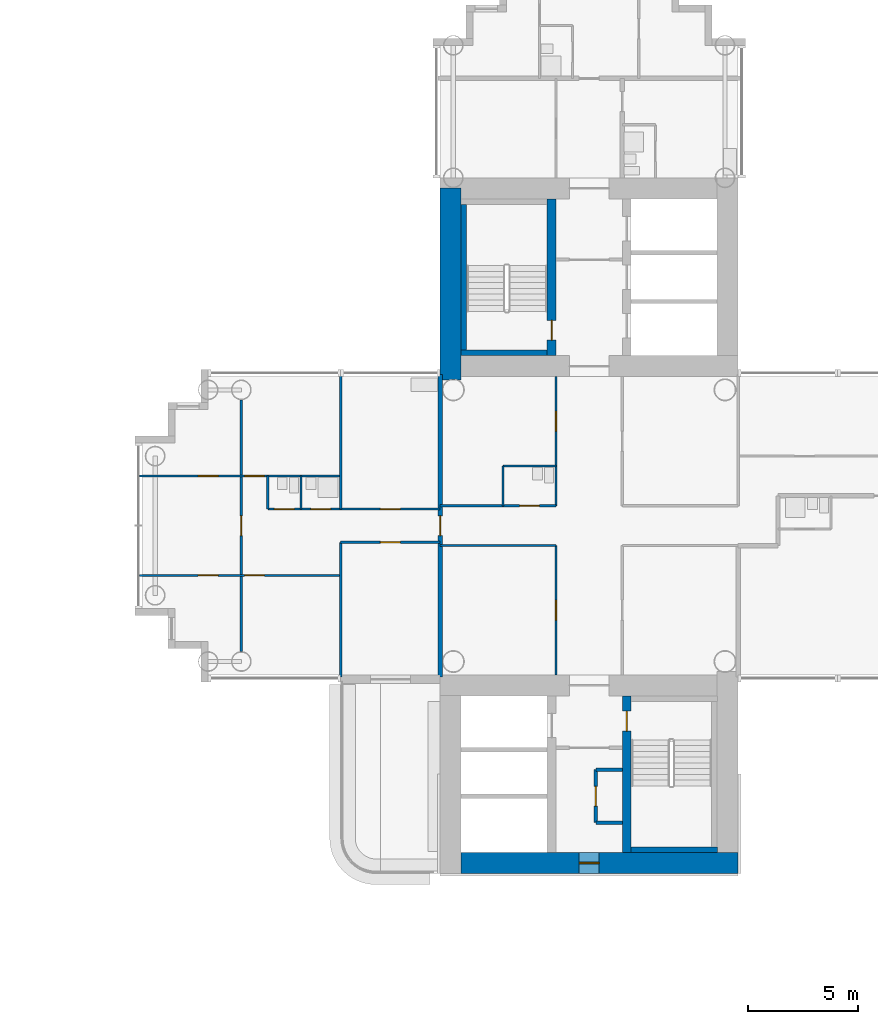
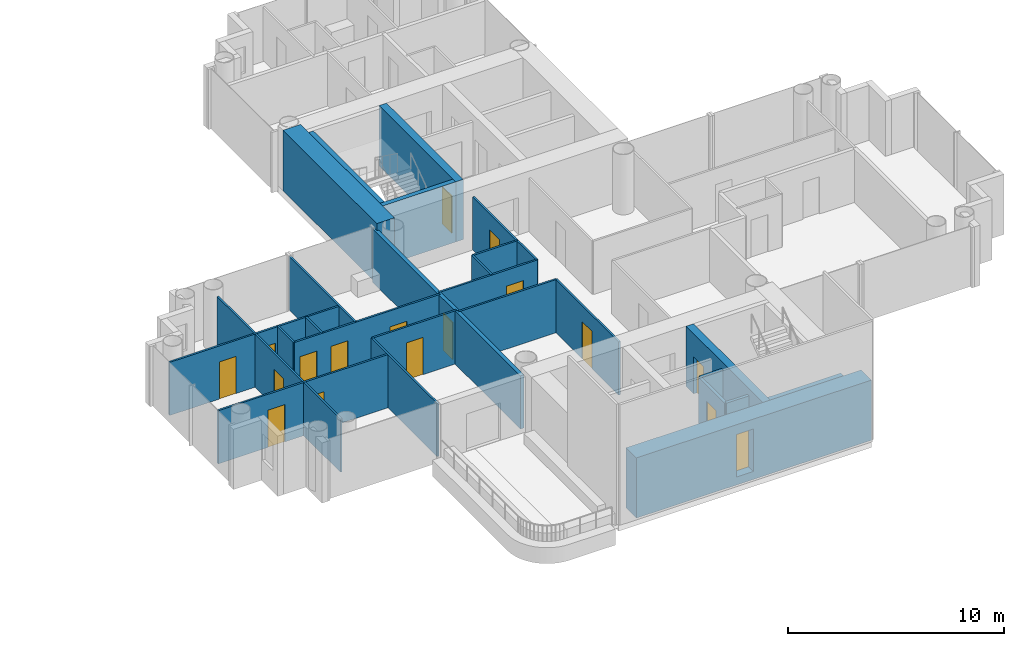
# One storey, part 13 of 22: 26 walls, 16 doors, 1 window, 17 openings.
"""IFC4 building model written with IfcOpenShell, lengths in metres."""

from ifc_helpers import new_model, si_unit, direction, frame, frame_2d, origin, place, context, subcontext, project, spatial, rectangle, extrude, material, layer, layer_set, type_object, element, fill, save


model = new_model("IFC4")

# Units and contexts
model_context = context("Model", 3, precision=1e-05, world=origin(), true_north=direction((0.0, 1.0)))
body_context = subcontext(model_context, "Body", "Model", "MODEL_VIEW")
ifc_project = project(units=[si_unit("LENGTHUNIT", "METRE"), si_unit("AREAUNIT", "SQUARE_METRE"), si_unit("VOLUMEUNIT", "CUBIC_METRE"), si_unit("PLANEANGLEUNIT", "RADIAN"), si_unit("MASSUNIT", "GRAM", prefix="KILO")], contexts=[model_context])

# Site, building, storey
site_placement = place(None, origin())
site = spatial("IfcSite", under=ifc_project, at=site_placement, CompositionType="ELEMENT")
building_placement = place(site_placement, origin())
building = spatial("IfcBuilding", under=site, at=building_placement, Name="Ipe Terrace Towers", CompositionType="ELEMENT")
storey_placement = place(building_placement, frame((0.0, 0.0, 110.60009765625)))
storey = spatial("IfcBuildingStorey", under=building, at=storey_placement, Name="L30", CompositionType="ELEMENT", Elevation=110.60009765625)

# Wall, openings, doors
ifc_material_1 = material(Name="Gypsum board partition", Category="plasterboard")
ifc_layer_1 = layer(ifc_material_1, 0.10009765625)
ifc_layer_set_1 = layer_set([ifc_layer_1], Name="Gypsum board partition 100 mm")
wall_type_1 = type_object("IfcWallType", Name="Gypsum board partition 100 mm", PredefinedType="PARTITIONING", material=ifc_layer_set_1)
wall_1_placement = place(storey_placement, frame((24.75, -2.25, 0.0), z_axis=(0.0, 0.0, 1.0), x_axis=(-1.0, 0.0, 0.0)))
wall_1 = element("IfcWall", 1, at=wall_1_placement, inside=storey, type_object=wall_type_1, Name="Gypsum board partition T2 L30 W01", PredefinedType="PARTITIONING", context=body_context, shape_type="SweptSolid", body=[
    extrude(rectangle(XDim=9.10009765625, YDim=0.10009765625, at=frame_2d((4.550048828125, 0.0))), origin(), (0.0, 0.0, 1.0), 3.0),
])
opening_1_placement = place(wall_1_placement, frame((3.449951171875, 0.0, 0.0)))
opening_1 = element("IfcOpeningElement", 2, at=opening_1_placement, cuts=wall_1, Name="Opening T2-Z2F-11", PredefinedType="OPENING", context=body_context, shape_type="SweptSolid", body=[
    extrude(rectangle(XDim=0.89990234375, YDim=2.10009765625, at=frame_2d((0.449951171875, 1.050048828125))), frame((0.0, 0.06005859375, 0.0), z_axis=(0.0, -1.0, 0.0), x_axis=(1.0, 0.0, 0.0)), (0.0, 0.0, 1.0), 0.1201171875),
])
opening_2_placement = place(wall_1_placement, frame((5.550048828125, 0.0, 0.0)))
opening_2 = element("IfcOpeningElement", 3, at=opening_2_placement, cuts=wall_1, Name="Opening T2-Z2F-14", PredefinedType="OPENING", context=body_context, shape_type="SweptSolid", body=[
    extrude(rectangle(XDim=0.89990234375, YDim=2.10009765625, at=frame_2d((0.449951171875, 1.050048828125))), frame((0.0, 0.06005859375, 0.0), z_axis=(0.0, -1.0, 0.0), x_axis=(1.0, 0.0, 0.0)), (0.0, 0.0, 1.0), 0.1201171875),
])
ifc_material_2 = material(Name="Timber door leaf", Category="wood")
door_type_1 = type_object("IfcDoorType", Name="Bedroom door 900 x 2100", OperationType="NOTDEFINED", PredefinedType="DOOR", material=ifc_material_2)
door_1_placement = place(opening_1_placement, origin())
door_1 = element("IfcDoor", 4, at=door_1_placement, inside=storey, type_object=door_type_1, Name="Bedroom door T2-Z2F-11", OperationType="SINGLE_SWING_RIGHT", OverallHeight=2.10009765625, OverallWidth=0.89990234375, PredefinedType="DOOR", context=body_context, shape_type="SweptSolid", body=[
    extrude(rectangle(XDim=0.89990234375, YDim=2.10009765625, at=frame_2d((0.449951171875, 1.050048828125))), frame((0.0, 0.02490234375, 0.0), z_axis=(0.0, -1.0, 0.0), x_axis=(1.0, 0.0, 0.0)), (0.0, 0.0, 1.0), 0.050048828125),
])
fill(opening_1, door_1)
door_2_placement = place(opening_2_placement, origin())
door_2 = element("IfcDoor", 5, at=door_2_placement, inside=storey, type_object=door_type_1, Name="Bedroom door T2-Z2F-14", OperationType="SINGLE_SWING_LEFT", OverallHeight=2.10009765625, OverallWidth=0.89990234375, PredefinedType="DOOR", context=body_context, shape_type="SweptSolid", body=[
    extrude(rectangle(XDim=0.89990234375, YDim=2.10009765625, at=frame_2d((0.449951171875, 1.050048828125))), frame((0.0, 0.02490234375, 0.0), z_axis=(0.0, -1.0, 0.0), x_axis=(1.0, 0.0, 0.0)), (0.0, 0.0, 1.0), 0.050048828125),
])
fill(opening_2, door_2)

# Wall
wall_2_placement = place(storey_placement, frame((34.5, -0.89990234375, 0.0), z_axis=(0.0, 0.0, 1.0), x_axis=(-1.0, 0.0, 0.0)))
element("IfcWall", 6, at=wall_2_placement, inside=storey, type_object=wall_type_1, Name="Gypsum board partition T2 L30 W03", PredefinedType="PARTITIONING", context=body_context, shape_type="SweptSolid", body=[
    extrude(rectangle(XDim=5.25, YDim=0.10009765625, at=frame_2d((2.625, 0.0))), origin(), (0.0, 0.0, 1.0), 3.0),
])

# Wall, opening, door
wall_3_placement = place(storey_placement, frame((29.25, -0.75, 0.0), z_axis=(0.0, 0.0, 1.0), x_axis=(-1.0, 0.0, 0.0)))
wall_3 = element("IfcWall", 7, at=wall_3_placement, inside=storey, type_object=wall_type_1, Name="Gypsum board partition T2 L30 W05", PredefinedType="PARTITIONING", context=body_context, shape_type="SweptSolid", body=[
    extrude(rectangle(XDim=4.5, YDim=0.10009765625, at=frame_2d((2.25, 0.0))), origin(), (0.0, 0.0, 1.0), 3.0),
])
opening_3_placement = place(wall_3_placement, frame((1.800048828125, 0.0, 0.0)))
opening_3 = element("IfcOpeningElement", 8, at=opening_3_placement, cuts=wall_3, Name="Opening T2-Z2F-06", PredefinedType="OPENING", context=body_context, shape_type="SweptSolid", body=[
    extrude(rectangle(XDim=0.89990234375, YDim=2.10009765625, at=frame_2d((0.449951171875, 1.050048828125))), frame((0.0, 0.06005859375, 0.0), z_axis=(0.0, -1.0, 0.0), x_axis=(1.0, 0.0, 0.0)), (0.0, 0.0, 1.0), 0.1201171875),
])
ifc_material_3 = material(Name="Timber door leaf", Category="wood")
door_type_2 = type_object("IfcDoorType", Name="Lounge door 900 x 2100", OperationType="NOTDEFINED", PredefinedType="DOOR", material=ifc_material_3)
door_3_placement = place(opening_3_placement, origin())
door_3 = element("IfcDoor", 9, at=door_3_placement, inside=storey, type_object=door_type_2, Name="Lounge door T2-Z2F-06", OperationType="SINGLE_SWING_LEFT", OverallHeight=2.10009765625, OverallWidth=0.89990234375, PredefinedType="DOOR", context=body_context, shape_type="SweptSolid", body=[
    extrude(rectangle(XDim=0.89990234375, YDim=2.10009765625, at=frame_2d((0.449951171875, 1.050048828125))), frame((0.0, 0.02490234375, 0.0), z_axis=(0.0, -1.0, 0.0), x_axis=(1.0, 0.0, 0.0)), (0.0, 0.0, 1.0), 0.050048828125),
])
fill(opening_3, door_3)

# Wall, openings, doors
wall_4_placement = place(storey_placement, frame((29.25, 0.75, 0.0), z_axis=(0.0, 0.0, 1.0), x_axis=(-1.0, 0.0, 0.0)))
wall_4 = element("IfcWall", 10, at=wall_4_placement, inside=storey, type_object=wall_type_1, Name="Gypsum board partition T2 L30 W07", PredefinedType="PARTITIONING", context=body_context, shape_type="SweptSolid", body=[
    extrude(rectangle(XDim=7.800048828125, YDim=0.10009765625, at=frame_2d((3.89990234375, 0.0))), origin(), (0.0, 0.0, 1.0), 3.0),
])
opening_4_placement = place(wall_4_placement, frame((1.800048828125, 0.0, 0.0)))
opening_4 = element("IfcOpeningElement", 11, at=opening_4_placement, cuts=wall_4, Name="Opening T2-Z2F-07", PredefinedType="OPENING", context=body_context, shape_type="SweptSolid", body=[
    extrude(rectangle(XDim=0.89990234375, YDim=2.10009765625, at=frame_2d((0.449951171875, 1.050048828125))), frame((0.0, 0.06005859375, 0.0), z_axis=(0.0, -1.0, 0.0), x_axis=(1.0, 0.0, 0.0)), (0.0, 0.0, 1.0), 0.1201171875),
])
opening_5_placement = place(wall_4_placement, frame((4.949951171875, 0.0, 0.0)))
opening_5 = element("IfcOpeningElement", 12, at=opening_5_placement, cuts=wall_4, Name="Opening T2-Z2F-09", PredefinedType="OPENING", context=body_context, shape_type="SweptSolid", body=[
    extrude(rectangle(XDim=0.89990234375, YDim=2.10009765625, at=frame_2d((0.449951171875, 1.050048828125))), frame((0.0, 0.06005859375, 0.0), z_axis=(0.0, -1.0, 0.0), x_axis=(1.0, 0.0, 0.0)), (0.0, 0.0, 1.0), 0.1201171875),
])
opening_6_placement = place(wall_4_placement, frame((6.60009765625, 0.0, 0.0)))
opening_6 = element("IfcOpeningElement", 13, at=opening_6_placement, cuts=wall_4, Name="Opening T2-Z2F-10", PredefinedType="OPENING", context=body_context, shape_type="SweptSolid", body=[
    extrude(rectangle(XDim=0.89990234375, YDim=2.10009765625, at=frame_2d((0.449951171875, 1.050048828125))), frame((0.0, 0.06005859375, 0.0), z_axis=(0.0, -1.0, 0.0), x_axis=(1.0, 0.0, 0.0)), (0.0, 0.0, 1.0), 0.1201171875),
])
ifc_material_4 = material(Name="Timber door leaf", Category="wood")
door_type_3 = type_object("IfcDoorType", Name="Bathroom door 900 x 2100", OperationType="NOTDEFINED", PredefinedType="DOOR", material=ifc_material_4)
door_4_placement = place(opening_5_placement, origin())
door_4 = element("IfcDoor", 14, at=door_4_placement, inside=storey, type_object=door_type_3, Name="Bathroom door T2-Z2F-09", OperationType="SINGLE_SWING_RIGHT", OverallHeight=2.10009765625, OverallWidth=0.89990234375, PredefinedType="DOOR", context=body_context, shape_type="SweptSolid", body=[
    extrude(rectangle(XDim=0.89990234375, YDim=2.10009765625, at=frame_2d((0.449951171875, 1.050048828125))), frame((0.0, 0.02490234375, 0.0), z_axis=(0.0, -1.0, 0.0), x_axis=(1.0, 0.0, 0.0)), (0.0, 0.0, 1.0), 0.050048828125),
])
fill(opening_5, door_4)
door_5_placement = place(opening_6_placement, origin())
door_5 = element("IfcDoor", 15, at=door_5_placement, inside=storey, type_object=door_type_3, Name="Bathroom door T2-Z2F-10", OperationType="SINGLE_SWING_RIGHT", OverallHeight=2.10009765625, OverallWidth=0.89990234375, PredefinedType="DOOR", context=body_context, shape_type="SweptSolid", body=[
    extrude(rectangle(XDim=0.89990234375, YDim=2.10009765625, at=frame_2d((0.449951171875, 1.050048828125))), frame((0.0, 0.02490234375, 0.0), z_axis=(0.0, -1.0, 0.0), x_axis=(1.0, 0.0, 0.0)), (0.0, 0.0, 1.0), 0.050048828125),
])
fill(opening_6, door_5)
door_6_placement = place(opening_4_placement, origin())
door_6 = element("IfcDoor", 16, at=door_6_placement, inside=storey, type_object=door_type_2, Name="Lounge door T2-Z2F-07", OperationType="SINGLE_SWING_LEFT", OverallHeight=2.10009765625, OverallWidth=0.89990234375, PredefinedType="DOOR", context=body_context, shape_type="SweptSolid", body=[
    extrude(rectangle(XDim=0.89990234375, YDim=2.10009765625, at=frame_2d((0.449951171875, 1.050048828125))), frame((0.0, 0.02490234375, 0.0), z_axis=(0.0, -1.0, 0.0), x_axis=(1.0, 0.0, 0.0)), (0.0, 0.0, 1.0), 0.050048828125),
])
fill(opening_4, door_6)

# Wall, opening, door
wall_5_placement = place(storey_placement, frame((34.5, 0.89990234375, 0.0), z_axis=(0.0, 0.0, 1.0), x_axis=(-1.0, 0.0, 0.0)))
wall_5 = element("IfcWall", 17, at=wall_5_placement, inside=storey, type_object=wall_type_1, Name="Gypsum board partition T2 L30 W09", PredefinedType="PARTITIONING", context=body_context, shape_type="SweptSolid", body=[
    extrude(rectangle(XDim=5.25, YDim=0.10009765625, at=frame_2d((2.625, 0.0))), origin(), (0.0, 0.0, 1.0), 3.0),
])
opening_7_placement = place(wall_5_placement, frame((0.75, 0.0, 0.0)))
opening_7 = element("IfcOpeningElement", 18, at=opening_7_placement, cuts=wall_5, Name="Opening T2-Z2F-01", PredefinedType="OPENING", context=body_context, shape_type="SweptSolid", body=[
    extrude(rectangle(XDim=0.89990234375, YDim=2.10009765625, at=frame_2d((0.449951171875, 1.050048828125))), frame((0.0, 0.06005859375, 0.0), z_axis=(0.0, -1.0, 0.0), x_axis=(1.0, 0.0, 0.0)), (0.0, 0.0, 1.0), 0.1201171875),
])
door_7_placement = place(opening_7_placement, origin())
door_7 = element("IfcDoor", 19, at=door_7_placement, inside=storey, type_object=door_type_3, Name="Bathroom door T2-Z2F-01", OperationType="SINGLE_SWING_LEFT", OverallHeight=2.10009765625, OverallWidth=0.89990234375, PredefinedType="DOOR", context=body_context, shape_type="SweptSolid", body=[
    extrude(rectangle(XDim=0.89990234375, YDim=2.10009765625, at=frame_2d((0.449951171875, 1.050048828125))), frame((0.0, 0.02490234375, 0.0), z_axis=(0.0, -1.0, 0.0), x_axis=(1.0, 0.0, 0.0)), (0.0, 0.0, 1.0), 0.050048828125),
])
fill(opening_7, door_7)

# Wall, openings, doors
wall_6_placement = place(storey_placement, frame((24.75, 2.25, 0.0), z_axis=(0.0, 0.0, 1.0), x_axis=(-1.0, 0.0, 0.0)))
wall_6 = element("IfcWall", 20, at=wall_6_placement, inside=storey, type_object=wall_type_1, Name="Gypsum board partition T2 L30 W11", PredefinedType="PARTITIONING", context=body_context, shape_type="SweptSolid", body=[
    extrude(rectangle(XDim=9.10009765625, YDim=0.10009765625, at=frame_2d((4.550048828125, 0.0))), origin(), (0.0, 0.0, 1.0), 3.0),
])
opening_8_placement = place(wall_6_placement, frame((3.449951171875, 0.0, 0.0)))
opening_8 = element("IfcOpeningElement", 21, at=opening_8_placement, cuts=wall_6, Name="Opening T2-Z2F-12", PredefinedType="OPENING", context=body_context, shape_type="SweptSolid", body=[
    extrude(rectangle(XDim=0.89990234375, YDim=2.10009765625, at=frame_2d((0.449951171875, 1.050048828125))), frame((0.0, 0.06005859375, 0.0), z_axis=(0.0, -1.0, 0.0), x_axis=(1.0, 0.0, 0.0)), (0.0, 0.0, 1.0), 0.1201171875),
])
opening_9_placement = place(wall_6_placement, frame((5.550048828125, 0.0, 0.0)))
opening_9 = element("IfcOpeningElement", 22, at=opening_9_placement, cuts=wall_6, Name="Opening T2-Z2F-15", PredefinedType="OPENING", context=body_context, shape_type="SweptSolid", body=[
    extrude(rectangle(XDim=0.89990234375, YDim=2.10009765625, at=frame_2d((0.449951171875, 1.050048828125))), frame((0.0, 0.06005859375, 0.0), z_axis=(0.0, -1.0, 0.0), x_axis=(1.0, 0.0, 0.0)), (0.0, 0.0, 1.0), 0.1201171875),
])
door_8_placement = place(opening_8_placement, origin())
door_8 = element("IfcDoor", 23, at=door_8_placement, inside=storey, type_object=door_type_1, Name="Bedroom door T2-Z2F-12", OperationType="SINGLE_SWING_LEFT", OverallHeight=2.10009765625, OverallWidth=0.89990234375, PredefinedType="DOOR", context=body_context, shape_type="SweptSolid", body=[
    extrude(rectangle(XDim=0.89990234375, YDim=2.10009765625, at=frame_2d((0.449951171875, 1.050048828125))), frame((0.0, 0.02490234375, 0.0), z_axis=(0.0, -1.0, 0.0), x_axis=(1.0, 0.0, 0.0)), (0.0, 0.0, 1.0), 0.050048828125),
])
fill(opening_8, door_8)
door_9_placement = place(opening_9_placement, origin())
door_9 = element("IfcDoor", 24, at=door_9_placement, inside=storey, type_object=door_type_1, Name="Bedroom door T2-Z2F-15", OperationType="SINGLE_SWING_RIGHT", OverallHeight=2.10009765625, OverallWidth=0.89990234375, PredefinedType="DOOR", context=body_context, shape_type="SweptSolid", body=[
    extrude(rectangle(XDim=0.89990234375, YDim=2.10009765625, at=frame_2d((0.449951171875, 1.050048828125))), frame((0.0, 0.02490234375, 0.0), z_axis=(0.0, -1.0, 0.0), x_axis=(1.0, 0.0, 0.0)), (0.0, 0.0, 1.0), 0.050048828125),
])
fill(opening_9, door_9)

# Wall
wall_7_placement = place(storey_placement, frame((34.5, 2.699951171875, 0.0), z_axis=(0.0, 0.0, 1.0), x_axis=(-1.0, 0.0, 0.0)))
element("IfcWall", 25, at=wall_7_placement, inside=storey, type_object=wall_type_1, Name="Gypsum board partition T2 L30 W12", PredefinedType="PARTITIONING", context=body_context, shape_type="SweptSolid", body=[
    extrude(rectangle(XDim=2.39990234375, YDim=0.10009765625, at=frame_2d((1.199951171875, 0.0))), origin(), (0.0, 0.0, 1.0), 3.0),
])

# Wall, opening, door
wall_8_placement = place(storey_placement, frame((34.5, -6.75, 0.0), z_axis=(0.0, 0.0, 1.0), x_axis=(0.0, 1.0, 0.0)))
wall_8 = element("IfcWall", 26, at=wall_8_placement, inside=storey, type_object=wall_type_1, Name="Gypsum board partition T2 L30 W29", PredefinedType="PARTITIONING", context=body_context, shape_type="SweptSolid", body=[
    extrude(rectangle(XDim=5.85009765625, YDim=0.10009765625, at=frame_2d((2.925048828125, 0.0))), origin(), (0.0, 0.0, 1.0), 3.0),
])
opening_10_placement = place(wall_8_placement, frame((2.47509765625, 0.0, 0.0)))
opening_10 = element("IfcOpeningElement", 27, at=opening_10_placement, cuts=wall_8, Name="Opening T2-Z2F-03", PredefinedType="OPENING", context=body_context, shape_type="SweptSolid", body=[
    extrude(rectangle(XDim=0.89990234375, YDim=2.10009765625, at=frame_2d((0.449951171875, 1.050048828125))), frame((0.0, 0.06005859375, 0.0), z_axis=(0.0, -1.0, 0.0), x_axis=(1.0, 0.0, 0.0)), (0.0, 0.0, 1.0), 0.1201171875),
])
door_10_placement = place(opening_10_placement, origin())
door_10 = element("IfcDoor", 28, at=door_10_placement, inside=storey, type_object=door_type_2, Name="Lounge door T2-Z2F-03", OperationType="SINGLE_SWING_RIGHT", OverallHeight=2.10009765625, OverallWidth=0.89990234375, PredefinedType="DOOR", context=body_context, shape_type="SweptSolid", body=[
    extrude(rectangle(XDim=0.89990234375, YDim=2.10009765625, at=frame_2d((0.449951171875, 1.050048828125))), frame((0.0, 0.02490234375, 0.0), z_axis=(0.0, -1.0, 0.0), x_axis=(1.0, 0.0, 0.0)), (0.0, 0.0, 1.0), 0.050048828125),
])
fill(opening_10, door_10)

wall_9_placement = place(storey_placement, frame((34.5, 0.89990234375, 0.0), z_axis=(0.0, 0.0, 1.0), x_axis=(0.0, 1.0, 0.0)))
wall_9 = element("IfcWall", 29, at=wall_9_placement, inside=storey, type_object=wall_type_1, Name="Gypsum board partition T2 L30 W30", PredefinedType="PARTITIONING", context=body_context, shape_type="SweptSolid", body=[
    extrude(rectangle(XDim=5.85009765625, YDim=0.10009765625, at=frame_2d((2.925048828125, 0.0))), origin(), (0.0, 0.0, 1.0), 3.0),
])
opening_11_placement = place(wall_9_placement, frame((3.375, 0.0, 0.0)))
opening_11 = element("IfcOpeningElement", 30, at=opening_11_placement, cuts=wall_9, Name="Opening T2-Z2F-02", PredefinedType="OPENING", context=body_context, shape_type="SweptSolid", body=[
    extrude(rectangle(XDim=0.89990234375, YDim=2.10009765625, at=frame_2d((0.449951171875, 1.050048828125))), frame((0.0, 0.06005859375, 0.0), z_axis=(0.0, -1.0, 0.0), x_axis=(1.0, 0.0, 0.0)), (0.0, 0.0, 1.0), 0.1201171875),
])
door_11_placement = place(opening_11_placement, origin())
door_11 = element("IfcDoor", 31, at=door_11_placement, inside=storey, type_object=door_type_2, Name="Lounge door T2-Z2F-02", OperationType="SINGLE_SWING_LEFT", OverallHeight=2.10009765625, OverallWidth=0.89990234375, PredefinedType="DOOR", context=body_context, shape_type="SweptSolid", body=[
    extrude(rectangle(XDim=0.89990234375, YDim=2.10009765625, at=frame_2d((0.449951171875, 1.050048828125))), frame((0.0, 0.02490234375, 0.0), z_axis=(0.0, -1.0, 0.0), x_axis=(1.0, 0.0, 0.0)), (0.0, 0.0, 1.0), 0.050048828125),
])
fill(opening_11, door_11)

# Walls
wall_10_placement = place(storey_placement, frame((32.10009765625, 0.89990234375, 0.0), z_axis=(0.0, 0.0, 1.0), x_axis=(0.0, 1.0, 0.0)))
element("IfcWall", 32, at=wall_10_placement, inside=storey, type_object=wall_type_1, Name="Gypsum board partition T2 L30 W33", PredefinedType="PARTITIONING", context=body_context, shape_type="SweptSolid", body=[
    extrude(rectangle(XDim=1.800048828125, YDim=0.10009765625, at=frame_2d((0.89990234375, 0.0))), origin(), (0.0, 0.0, 1.0), 3.0),
])
for number, where, z_axis, x_axis, name in (
    (33, (24.75, -6.85009765625, 0.0), (0.0, 0.0, 1.0), (0.0, 1.0, 0.0), "Gypsum board partition T2 L30 W35"),
    (34, (24.75, 0.75, 0.0), (0.0, 0.0, 1.0), (0.0, 1.0, 0.0), "Gypsum board partition T2 L30 W36"),
):
    element("IfcWall", number, at=place(storey_placement, frame(where, z_axis=z_axis, x_axis=x_axis)), inside=storey, type_object=wall_type_1, Name=name, PredefinedType="PARTITIONING", context=body_context, shape_type="SweptSolid", body=[
        extrude(rectangle(XDim=6.10009765625, YDim=0.10009765625, at=frame_2d((3.050048828125, 0.0))), origin(), (0.0, 0.0, 1.0), 3.0),
    ])
for number, where, z_axis, x_axis, name in (
    (35, (22.949951171875, 0.75, 0.0), (0.0, 0.0, 1.0), (0.0, 1.0, 0.0), "Gypsum board partition T2 L30 W37"),
    (36, (21.449951171875, 0.75, 0.0), (0.0, 0.0, 1.0), (0.0, 1.0, 0.0), "Gypsum board partition T2 L30 W38"),
):
    element("IfcWall", number, at=place(storey_placement, frame(where, z_axis=z_axis, x_axis=x_axis)), inside=storey, type_object=wall_type_1, Name=name, PredefinedType="PARTITIONING", context=body_context, shape_type="SweptSolid", body=[
        extrude(rectangle(XDim=1.5, YDim=0.10009765625, at=frame_2d((0.75, 0.0))), origin(), (0.0, 0.0, 1.0), 3.0),
    ])

# Wall, opening, door
wall_11_placement = place(storey_placement, frame((20.25, -5.699951171875, 0.0), z_axis=(0.0, 0.0, 1.0), x_axis=(0.0, 1.0, 0.0)))
wall_11 = element("IfcWall", 37, at=wall_11_placement, inside=storey, type_object=wall_type_1, Name="Gypsum board partition T2 L30 W39", PredefinedType="PARTITIONING", context=body_context, shape_type="SweptSolid", body=[
    extrude(rectangle(XDim=11.39990234375, YDim=0.10009765625, at=frame_2d((5.699951171875, 0.0))), origin(), (0.0, 0.0, 1.0), 3.0),
])
opening_12_placement = place(wall_11_placement, frame((5.25, 0.0, 0.0)))
opening_12 = element("IfcOpeningElement", 38, at=opening_12_placement, cuts=wall_11, Name="Opening T2-Z2F-13", PredefinedType="OPENING", context=body_context, shape_type="SweptSolid", body=[
    extrude(rectangle(XDim=0.89990234375, YDim=2.10009765625, at=frame_2d((0.449951171875, 1.050048828125))), frame((0.0, 0.06005859375, 0.0), z_axis=(0.0, -1.0, 0.0), x_axis=(1.0, 0.0, 0.0)), (0.0, 0.0, 1.0), 0.1201171875),
])
door_12_placement = place(opening_12_placement, origin())
door_12 = element("IfcDoor", 39, at=door_12_placement, inside=storey, type_object=door_type_2, Name="Lounge door T2-Z2F-13", OperationType="SINGLE_SWING_LEFT", OverallHeight=2.10009765625, OverallWidth=0.89990234375, PredefinedType="DOOR", context=body_context, shape_type="SweptSolid", body=[
    extrude(rectangle(XDim=0.89990234375, YDim=2.10009765625, at=frame_2d((0.449951171875, 1.050048828125))), frame((0.0, 0.02490234375, 0.0), z_axis=(0.0, -1.0, 0.0), x_axis=(1.0, 0.0, 0.0)), (0.0, 0.0, 1.0), 0.050048828125),
])
fill(opening_12, door_12)

ifc_material_5 = material(Name="Gypsum board partition", Category="plasterboard")
ifc_layer_2 = layer(ifc_material_5, 0.14990234375)
ifc_layer_set_2 = layer_set([ifc_layer_2], Name="Gypsum board partition 150 mm")
wall_type_2 = type_object("IfcWallType", Name="Gypsum board partition 150 mm", PredefinedType="PARTITIONING", material=ifc_layer_set_2)
wall_12_placement = place(storey_placement, frame((36.300048828125, -11.050048828125, 0.0), z_axis=(0.0, 0.0, 1.0), x_axis=(0.0, -1.0, 0.0)))
wall_12 = element("IfcWall", 40, at=wall_12_placement, inside=storey, type_object=wall_type_2, Name="Gypsum board partition T2 L30 t2c2-cup-n-f", PredefinedType="PARTITIONING", context=body_context, shape_type="SweptSolid", body=[
    extrude(rectangle(XDim=2.39990234375, YDim=0.14990234375, at=frame_2d((1.199951171875, 0.0))), origin(), (0.0, 0.0, 1.0), 3.0),
])
opening_13_placement = place(wall_12_placement, frame((0.75, 0.0, 0.0)))
opening_13 = element("IfcOpeningElement", 41, at=opening_13_placement, cuts=wall_12, Name="Opening T2C2-SR", PredefinedType="OPENING", context=body_context, shape_type="SweptSolid", body=[
    extrude(rectangle(XDim=0.89990234375, YDim=2.10009765625, at=frame_2d((0.449951171875, 1.050048828125))), frame((0.0, 0.0849609375, 0.0), z_axis=(0.0, -1.0, 0.0), x_axis=(1.0, 0.0, 0.0)), (0.0, 0.0, 1.0), 0.169921875),
])
ifc_material_6 = material(Name="Fire-rated timber door leaf", Category="wood")
door_type_4 = type_object("IfcDoorType", Name="Service door 900 x 2100 FD60", OperationType="NOTDEFINED", PredefinedType="DOOR", material=ifc_material_6)
door_13_placement = place(opening_13_placement, origin())
door_13 = element("IfcDoor", 42, at=door_13_placement, inside=storey, type_object=door_type_4, Name="Service door T2C2-SR", OperationType="SINGLE_SWING_LEFT", OverallHeight=2.10009765625, OverallWidth=0.89990234375, PredefinedType="DOOR", context=body_context, shape_type="SweptSolid", body=[
    extrude(rectangle(XDim=0.89990234375, YDim=2.10009765625, at=frame_2d((0.449951171875, 1.050048828125))), frame((0.0, 0.02490234375, 0.0), z_axis=(0.0, -1.0, 0.0), x_axis=(1.0, 0.0, 0.0)), (0.0, 0.0, 1.0), 0.050048828125),
])
fill(opening_13, door_13)

# Walls
for number, where, z_axis, x_axis, name in (
    (43, (36.300048828125, -11.050048828125, 0.0), (0.0, 0.0, 1.0), (1.0, 0.0, 0.0), "Gypsum board partition T2 L30 t2c2-cup-n-a"),
    (44, (36.300048828125, -13.449951171875, 0.0), (0.0, 0.0, 1.0), (1.0, 0.0, 0.0), "Gypsum board partition T2 L30 t2c2-cup-n-b"),
):
    element("IfcWall", number, at=place(storey_placement, frame(where, z_axis=z_axis, x_axis=x_axis)), inside=storey, type_object=wall_type_2, Name=name, PredefinedType="PARTITIONING", context=body_context, shape_type="SweptSolid", body=[
        extrude(rectangle(XDim=1.199951171875, YDim=0.14990234375, at=frame_2d((0.60009765625, 0.0))), origin(), (0.0, 0.0, 1.0), 3.0),
    ])

# Wall, opening, door
ifc_material_7 = material(Name="Gypsum board party wall", Category="plasterboard")
ifc_layer_3 = layer(ifc_material_7, 0.199951171875)
ifc_layer_set_3 = layer_set([ifc_layer_3], Name="Gypsum board party wall 200 mm")
wall_type_3 = type_object("IfcWallType", Name="Gypsum board party wall 200 mm", PredefinedType="SOLIDWALL", material=ifc_layer_set_3)
wall_13_placement = place(storey_placement, frame((29.25, -6.85009765625, 0.0), z_axis=(0.0, 0.0, 1.0), x_axis=(0.0, 1.0, 0.0)))
wall_13 = element("IfcWall", 45, at=wall_13_placement, inside=storey, type_object=wall_type_3, Name="Gypsum board party wall T2 L30 W34", PredefinedType="SOLIDWALL", context=body_context, shape_type="SweptSolid", body=[
    extrude(rectangle(XDim=13.7001953125, YDim=0.199951171875, at=frame_2d((6.85009765625, 0.0))), origin(), (0.0, 0.0, 1.0), 3.0),
])
opening_14_placement = place(wall_13_placement, frame((6.39990234375, 0.0, 0.0)))
opening_14 = element("IfcOpeningElement", 46, at=opening_14_placement, cuts=wall_13, Name="Opening T2-Z2F-08", PredefinedType="OPENING", context=body_context, shape_type="SweptSolid", body=[
    extrude(rectangle(XDim=0.89990234375, YDim=2.10009765625, at=frame_2d((0.449951171875, 1.050048828125))), frame((0.0, 0.10986328125, 0.0), z_axis=(0.0, -1.0, 0.0), x_axis=(1.0, 0.0, 0.0)), (0.0, 0.0, 1.0), 0.219970703125),
])
ifc_material_8 = material(Name="Fire-rated timber door leaf", Category="wood")
door_type_5 = type_object("IfcDoorType", Name="Flat entrance door 900 x 2100 FD30S", OperationType="NOTDEFINED", PredefinedType="DOOR", material=ifc_material_8)
door_14_placement = place(opening_14_placement, origin())
door_14 = element("IfcDoor", 47, at=door_14_placement, inside=storey, type_object=door_type_5, Name="Flat entrance door T2-Z2F-08", OperationType="SINGLE_SWING_LEFT", OverallHeight=2.10009765625, OverallWidth=0.89990234375, PredefinedType="DOOR", context=body_context, shape_type="SweptSolid", body=[
    extrude(rectangle(XDim=0.89990234375, YDim=2.10009765625, at=frame_2d((0.449951171875, 1.050048828125))), frame((0.0, 0.02490234375, 0.0), z_axis=(0.0, -1.0, 0.0), x_axis=(1.0, 0.0, 0.0)), (0.0, 0.0, 1.0), 0.050048828125),
])
fill(opening_14, door_14)

# Walls
ifc_material_9 = material(Name="Concrete C50/60", Category="concrete")
ifc_layer_4 = layer(ifc_material_9, 0.25)
ifc_layer_set_4 = layer_set([ifc_layer_4], Name="RW250 CORE INFILL WALL 250 C50-60")
wall_type_4 = type_object("IfcWallType", Name="RW250 CORE INFILL WALL 250 C50-60", PredefinedType="SHEAR", material=ifc_layer_set_4)
wall_14_placement = place(storey_placement, frame((30.324951171875, 7.949951171875, 0.0), z_axis=(0.0, 0.0, 1.0), x_axis=(0.0, 1.0, 0.0)))
element("IfcWall", 48, at=wall_14_placement, inside=storey, type_object=wall_type_4, Name="Core infill wall T2-C1-back", PredefinedType="SHEAR", context=body_context, shape_type="SweptSolid", body=[
    extrude(rectangle(XDim=6.60009765625, YDim=0.25, at=frame_2d((3.300048828125, 0.0))), origin(), (0.0, 0.0, 1.0), 3.39990234375),
])
for number, where, z_axis, x_axis, name in (
    (49, (34.10009765625, 7.824951171875, 0.0), (0.0, 0.0, 1.0), (-1.0, 0.0, 0.0), "Core infill wall T2-C1-near"),
    (50, (37.89990234375, -14.675048828125, 0.0), (0.0, 0.0, 1.0), (1.0, 0.0, 0.0), "Core infill wall T2-C2-far"),
):
    element("IfcWall", number, at=place(storey_placement, frame(where, z_axis=z_axis, x_axis=x_axis)), inside=storey, type_object=wall_type_4, Name=name, PredefinedType="SHEAR", context=body_context, shape_type="SweptSolid", body=[
        extrude(rectangle(XDim=3.900146484375, YDim=0.25, at=frame_2d((1.9501953125, 0.0))), origin(), (0.0, 0.0, 1.0), 3.39990234375),
    ])

# Wall, opening, door
ifc_material_10 = material(Name="Concrete C50/60", Category="concrete")
ifc_layer_5 = layer(ifc_material_10, 0.39990234375)
ifc_layer_set_5 = layer_set([ifc_layer_5], Name="RW400 CORE SPINE WALL 400 C50-60")
wall_type_5 = type_object("IfcWallType", Name="RW400 CORE SPINE WALL 400 C50-60", PredefinedType="SHEAR", material=ifc_layer_set_5)
wall_15_placement = place(storey_placement, frame((34.300048828125, 7.699951171875, 0.0), z_axis=(0.0, 0.0, 1.0), x_axis=(0.0, 1.0, 0.0)))
wall_15 = element("IfcWall", 51, at=wall_15_placement, inside=storey, type_object=wall_type_5, Name="Core spine wall T2-C1-Z2-SW1", PredefinedType="SHEAR", context=body_context, shape_type="SweptSolid", body=[
    extrude(rectangle(XDim=7.10009765625, YDim=0.39990234375, at=frame_2d((3.550048828125, 0.0))), origin(), (0.0, 0.0, 1.0), 3.39990234375),
])
opening_15_placement = place(wall_15_placement, frame((0.699951171875, 0.0, 0.0)))
opening_15 = element("IfcOpeningElement", 52, at=opening_15_placement, cuts=wall_15, Name="Opening T2C1-SD", PredefinedType="OPENING", context=body_context, shape_type="SweptSolid", body=[
    extrude(rectangle(XDim=0.89990234375, YDim=2.10009765625, at=frame_2d((0.449951171875, 1.050048828125))), frame((0.0, 0.2099609375, 0.0), z_axis=(0.0, -1.0, 0.0), x_axis=(1.0, 0.0, 0.0)), (0.0, 0.0, 1.0), 0.419921875),
])
ifc_material_11 = material(Name="Fire-rated timber door leaf", Category="wood")
door_type_6 = type_object("IfcDoorType", Name="Stair door 900 x 2100 FD60", OperationType="NOTDEFINED", PredefinedType="DOOR", material=ifc_material_11)
door_15_placement = place(opening_15_placement, origin())
door_15 = element("IfcDoor", 53, at=door_15_placement, inside=storey, type_object=door_type_6, Name="Stair door T2C1-SD", OperationType="SINGLE_SWING_LEFT", OverallHeight=2.10009765625, OverallWidth=0.89990234375, PredefinedType="DOOR", context=body_context, shape_type="SweptSolid", body=[
    extrude(rectangle(XDim=0.89990234375, YDim=2.10009765625, at=frame_2d((0.449951171875, 1.050048828125))), frame((0.0, 0.02490234375, 0.0), z_axis=(0.0, -1.0, 0.0), x_axis=(1.0, 0.0, 0.0)), (0.0, 0.0, 1.0), 0.050048828125),
])
fill(opening_15, door_15)

wall_16_placement = place(storey_placement, frame((37.699951171875, -14.800048828125, 0.0), z_axis=(0.0, 0.0, 1.0), x_axis=(0.0, 1.0, 0.0)))
wall_16 = element("IfcWall", 54, at=wall_16_placement, inside=storey, type_object=wall_type_5, Name="Core spine wall T2-C2-Z2-SW2", PredefinedType="SHEAR", context=body_context, shape_type="SweptSolid", body=[
    extrude(rectangle(XDim=7.10009765625, YDim=0.39990234375, at=frame_2d((3.550048828125, 0.0))), origin(), (0.0, 0.0, 1.0), 3.39990234375),
])
opening_16_placement = place(wall_16_placement, frame((5.5, 0.0, 0.0)))
opening_16 = element("IfcOpeningElement", 55, at=opening_16_placement, cuts=wall_16, Name="Opening T2C2-SD", PredefinedType="OPENING", context=body_context, shape_type="SweptSolid", body=[
    extrude(rectangle(XDim=0.89990234375, YDim=2.10009765625, at=frame_2d((0.449951171875, 1.050048828125))), frame((0.0, 0.2099609375, 0.0), z_axis=(0.0, -1.0, 0.0), x_axis=(1.0, 0.0, 0.0)), (0.0, 0.0, 1.0), 0.419921875),
])
door_16_placement = place(opening_16_placement, origin())
door_16 = element("IfcDoor", 56, at=door_16_placement, inside=storey, type_object=door_type_6, Name="Stair door T2C2-SD", OperationType="SINGLE_SWING_RIGHT", OverallHeight=2.10009765625, OverallWidth=0.89990234375, PredefinedType="DOOR", context=body_context, shape_type="SweptSolid", body=[
    extrude(rectangle(XDim=0.89990234375, YDim=2.10009765625, at=frame_2d((0.449951171875, 1.050048828125))), frame((0.0, 0.02490234375, 0.0), z_axis=(0.0, -1.0, 0.0), x_axis=(1.0, 0.0, 0.0)), (0.0, 0.0, 1.0), 0.050048828125),
])
fill(opening_16, door_16)

# Wall
ifc_material_12 = material(Name="Concrete C50/60", Category="concrete")
ifc_layer_6 = layer(ifc_material_12, 0.949951171875)
ifc_layer_set_6 = layer_set([ifc_layer_6], Name="RW950 CORE WALL 950 C50-60")
wall_type_6 = type_object("IfcWallType", Name="RW950 CORE WALL 950 C50-60", PredefinedType="SHEAR", material=ifc_layer_set_6)
wall_17_placement = place(storey_placement, frame((29.72509765625, 15.298095703125, 0.0), z_axis=(0.0, 0.0, 1.0), x_axis=(0.0, -1.0, 0.0)))
element("IfcWall", 57, at=wall_17_placement, inside=storey, type_object=wall_type_6, Name="Core wall T2-C1-Z2-W04", PredefinedType="SHEAR", context=body_context, shape_type="SweptSolid", body=[
    extrude(rectangle(XDim=8.696044921875, YDim=0.949951171875, at=frame_2d((4.34814453125, 0.0))), origin(), (0.0, 0.0, 1.0), 3.39990234375),
])

# Wall, opening, window
wall_18_placement = place(storey_placement, frame((30.199951171875, -15.27490234375, 0.0), z_axis=(0.0, 0.0, 1.0), x_axis=(1.0, 0.0, 0.0)))
wall_18 = element("IfcWall", 58, at=wall_18_placement, inside=storey, type_object=wall_type_6, Name="Core wall T2-C2-Z2-W01", PredefinedType="SHEAR", context=body_context, shape_type="SweptSolid", body=[
    extrude(rectangle(XDim=12.550048828125, YDim=0.949951171875, at=frame_2d((6.27490234375, 0.0))), origin(), (0.0, 0.0, 1.0), 3.39990234375),
])
opening_17_placement = place(wall_18_placement, frame((5.35009765625, 0.0, 0.449951171875)))
opening_17 = element("IfcOpeningElement", 59, at=opening_17_placement, cuts=wall_18, Name="Opening T2-C2-W-01-L30", PredefinedType="OPENING", context=body_context, shape_type="SweptSolid", body=[
    extrude(rectangle(XDim=0.89990234375, YDim=2.39990234375, at=frame_2d((0.449951171875, 1.199951171875))), frame((0.0, 0.48486328125, 0.0), z_axis=(0.0, -1.0, 0.0), x_axis=(1.0, 0.0, 0.0)), (0.0, 0.0, 1.0), 0.969970703125),
])
ifc_material_13 = material(Name="Fire-resistant glazing EI 60", Category="glass")
window_type = type_object("IfcWindowType", Name="CORRIDOR END SLOT WINDOW 900 x 2400 EI 60", PartitioningType="SINGLE_PANEL", PredefinedType="WINDOW", material=ifc_material_13)
window_placement = place(opening_17_placement, origin())
window = element("IfcWindow", 60, at=window_placement, inside=storey, type_object=window_type, Name="W-01 window", OverallHeight=2.39990234375, OverallWidth=0.89990234375, PartitioningType="SINGLE_PANEL", PredefinedType="WINDOW", context=body_context, shape_type="SweptSolid", body=[
    extrude(rectangle(XDim=0.89990234375, YDim=2.39990234375, at=frame_2d((0.449951171875, 1.199951171875))), frame((0.0, 0.030029296875, 0.0), z_axis=(0.0, -1.0, 0.0), x_axis=(1.0, 0.0, 0.0)), (0.0, 0.0, 1.0), 0.06005859375),
])
fill(opening_17, window)

save(model, "model.ifc")
